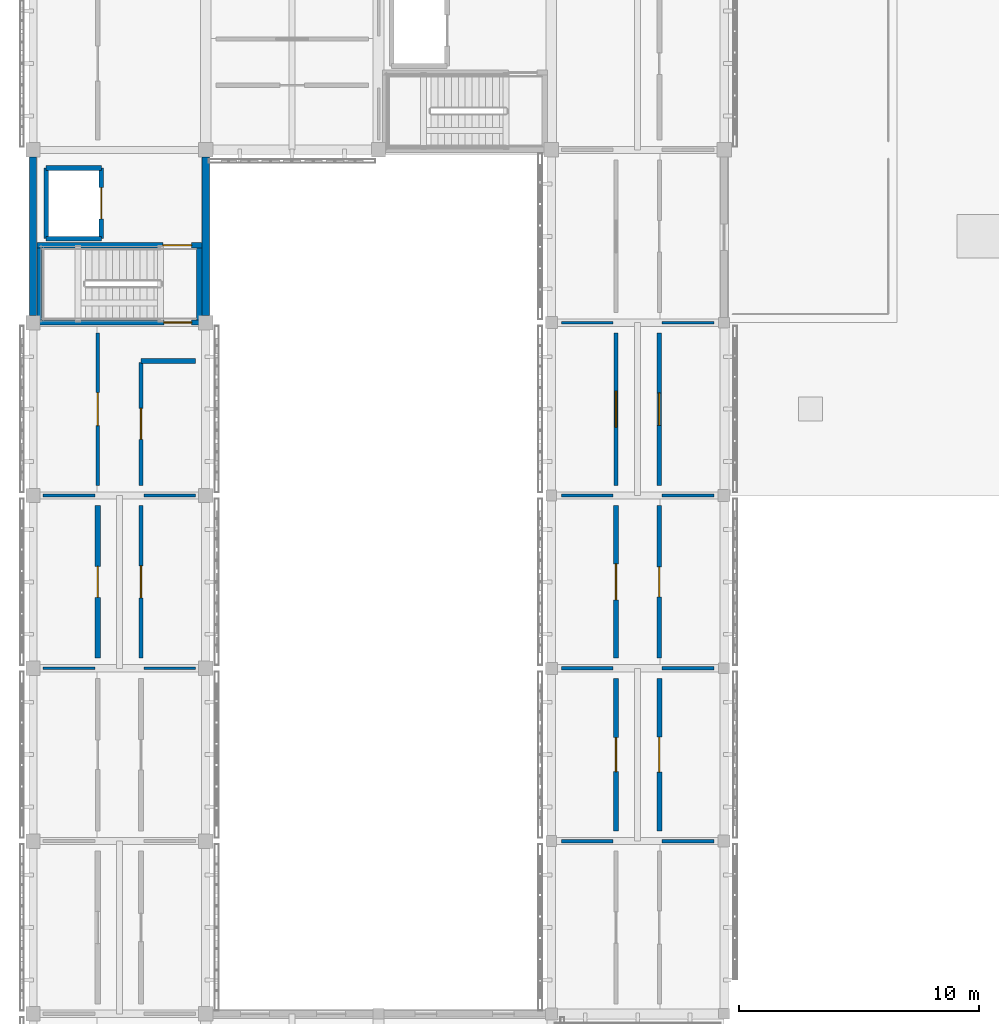
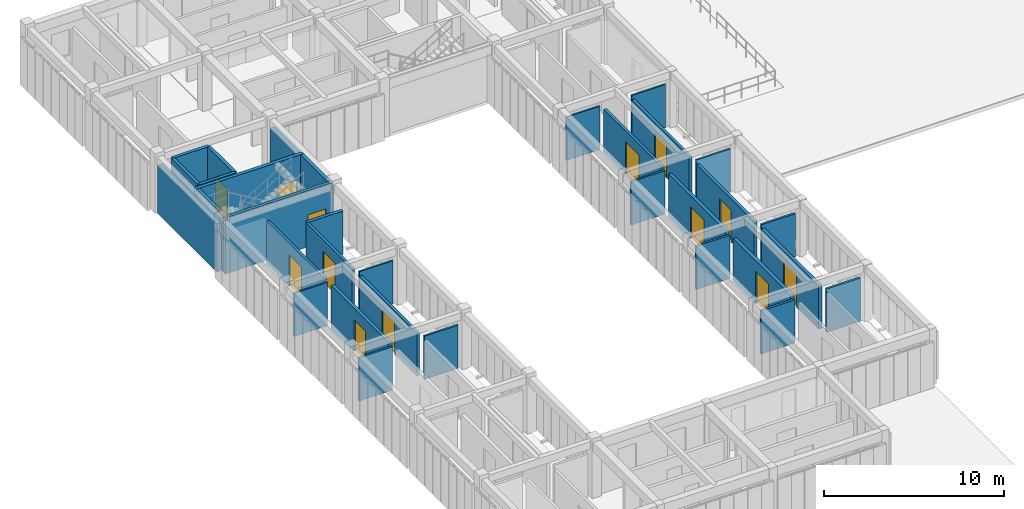
# One storey, part 54 of 67: 33 walls, 13 doors, 13 openings.
"""IFC4 building model written with IfcOpenShell, lengths in metres."""

from ifc_helpers import new_model, si_unit, direction, frame, frame_2d, origin, place, context, subcontext, project, spatial, rectangle, extrude, material, layer, layer_set, type_object, element, fill, save


model = new_model("IFC4")

# Units and contexts
model_context = context("Model", 3, precision=1e-05, world=origin(), true_north=direction((0.0, 1.0)))
body_context = subcontext(model_context, "Body", "Model", "MODEL_VIEW")
ifc_project = project(units=[si_unit("LENGTHUNIT", "METRE"), si_unit("AREAUNIT", "SQUARE_METRE"), si_unit("VOLUMEUNIT", "CUBIC_METRE"), si_unit("PLANEANGLEUNIT", "RADIAN"), si_unit("MASSUNIT", "GRAM", prefix="KILO")], contexts=[model_context])

# Site, building, storey
site_placement = place(None, origin())
site = spatial("IfcSite", under=ifc_project, at=site_placement, CompositionType="ELEMENT")
building_placement = place(site_placement, origin())
building = spatial("IfcBuilding", under=site, at=building_placement, Name="Aldebral Square Health Centre", CompositionType="ELEMENT")
storey_placement = place(building_placement, frame((0.0, 0.0, 13.5)))
storey = spatial("IfcBuildingStorey", under=building, at=storey_placement, Name="L03", CompositionType="ELEMENT", Elevation=13.5)

# Walls
ifc_material_1 = material(Name="Precast concrete C40/50 insulated panel", Category="concrete")
ifc_layer_1 = layer(ifc_material_1, 0.300048828125, Name="Precast concrete C40/50 insulated panel", Category="concrete")
ifc_layer_set_1 = layer_set([ifc_layer_1], Name="Precast concrete C40/50 insulated panel")
wall_type_1 = type_object("IfcWallType", Name="EW-PRE-300", PredefinedType="STANDARD", material=ifc_layer_set_1)
for number, where, z_axis, x_axis, name in (
    (1, (0.0, 100.5, 0.0), (0.0, 0.0, 1.0), (0.0, -1.0, 0.0), "L03 V4 exterior wall L03-V4-00-13-W"),
    (2, (7.199951171875, 93.89990234375, 0.0), (0.0, 0.0, 1.0), (0.0, 1.0, 0.0), "L03 V4 exterior wall L03-V4-00-13-E"),
):
    element("IfcWall", number, at=place(storey_placement, frame(where, z_axis=z_axis, x_axis=x_axis)), inside=storey, type_object=wall_type_1, Name=name, PredefinedType="STANDARD", context=body_context, shape_type="SweptSolid", body=[
        extrude(rectangle(XDim=6.60009765625, YDim=0.300048828125, at=frame_2d((3.300048828125, 0.0))), origin(), (0.0, 0.0, 1.0), 3.239990234375),
    ])

# Wall, opening, door
ifc_material_2 = material(Name="Concrete C35/45 compartment wall", Category="concrete")
ifc_layer_2 = layer(ifc_material_2, 0.199951171875, Name="Concrete C35/45 compartment wall", Category="concrete")
ifc_layer_set_2 = layer_set([ifc_layer_2], Name="Concrete C35/45 compartment wall")
wall_type_2 = type_object("IfcWallType", Name="IW-CMP-200", PredefinedType="SOLIDWALL", material=ifc_layer_set_2)
wall_1_placement = place(storey_placement, frame((26.10009765625, 79.6201171875, 0.0), z_axis=(0.0, 0.0, 1.0), x_axis=(0.0, 1.0, 0.0)))
wall_1 = element("IfcWall", 3, at=wall_1_placement, inside=storey, type_object=wall_type_2, Name="L03 Dental Clinic Operatory 4.12E corridor wall", PredefinedType="SOLIDWALL", context=body_context, shape_type="SweptSolid", body=[
    extrude(rectangle(XDim=6.35986328125, YDim=0.199951171875, at=frame_2d((3.179931640625, 0.0))), origin(), (0.0, 0.0, 1.0), 2.929931640625),
])
opening_1_placement = place(wall_1_placement, frame((2.554931640625, 0.0, 0.0)))
opening_1 = element("IfcOpeningElement", 4, at=opening_1_placement, cuts=wall_1, Name="Opening D-0562", PredefinedType="OPENING", context=body_context, shape_type="SweptSolid", body=[
    extrude(rectangle(XDim=1.25, YDim=2.14990234375, at=frame_2d((0.625, 1.074951171875))), frame((0.0, 0.10986328125, 0.0), z_axis=(0.0, -1.0, 0.0), x_axis=(1.0, 0.0, 0.0)), (0.0, 0.0, 1.0), 0.219970703125),
])
ifc_material_3 = material(Name="Stainless steel surgical lift landing door", Category="steel")
door_type_1 = type_object("IfcDoorType", Name="ID-LD-125", OperationType="SLIDING_TO_LEFT", PredefinedType="DOOR", material=ifc_material_3)
door_1_placement = place(opening_1_placement, origin())
door_1 = element("IfcDoor", 5, at=door_1_placement, inside=storey, type_object=door_type_1, Name="L03 Dental Clinic Operatory 4.12E door", OperationType="SINGLE_SWING_LEFT", OverallHeight=2.14990234375, OverallWidth=1.25, PredefinedType="DOOR", context=body_context, shape_type="SweptSolid", body=[
    extrude(rectangle(XDim=1.25, YDim=2.14990234375, at=frame_2d((0.625, 1.074951171875))), frame((0.0, 0.02490234375, 0.0), z_axis=(0.0, -1.0, 0.0), x_axis=(1.0, 0.0, 0.0)), (0.0, 0.0, 1.0), 0.050048828125),
])
fill(opening_1, door_1)

ifc_layer_3 = layer(ifc_material_2, 0.219970703125, Name="Concrete C35/45 compartment wall", Category="concrete")
ifc_layer_set_3 = layer_set([ifc_layer_3], Name="Concrete C35/45 compartment wall")
wall_type_3 = type_object("IfcWallType", Name="IW-CMP-220", PredefinedType="SOLIDWALL", material=ifc_layer_set_3)
wall_2_placement = place(storey_placement, frame((24.300048828125, 72.419921875, 0.0), z_axis=(0.0, 0.0, 1.0), x_axis=(0.0, 1.0, 0.0)))
wall_2 = element("IfcWall", 6, at=wall_2_placement, inside=storey, type_object=wall_type_3, Name="L03 Paediatric Examination Room 4.11W corridor wall", PredefinedType="SOLIDWALL", context=body_context, shape_type="SweptSolid", body=[
    extrude(rectangle(XDim=6.360107421875, YDim=0.219970703125, at=frame_2d((3.18017578125, 0.0))), origin(), (0.0, 0.0, 1.0), 2.929931640625),
])
opening_2_placement = place(wall_2_placement, frame((2.469970703125, 0.0, 0.0)))
opening_2 = element("IfcOpeningElement", 7, at=opening_2_placement, cuts=wall_2, Name="Opening D-0559", PredefinedType="OPENING", context=body_context, shape_type="SweptSolid", body=[
    extrude(rectangle(XDim=1.419921875, YDim=2.18994140625, at=frame_2d((0.7099609375, 1.094970703125))), frame((0.0, 0.1201171875, 0.0), z_axis=(0.0, -1.0, 0.0), x_axis=(1.0, 0.0, 0.0)), (0.0, 0.0, 1.0), 0.239990234375),
])
ifc_material_4 = material(Name="Clinical suite fire door")
door_type_2 = type_object("IfcDoorType", Name="ID-EXD-61", OperationType="NOTDEFINED", PredefinedType="DOOR", material=ifc_material_4)
door_2_placement = place(opening_2_placement, origin())
door_2 = element("IfcDoor", 8, at=door_2_placement, inside=storey, type_object=door_type_2, Name="L03 Paediatric Examination Room 4.11W door", OperationType="SINGLE_SWING_RIGHT", OverallHeight=2.18994140625, OverallWidth=1.419921875, PredefinedType="DOOR", context=body_context, shape_type="SweptSolid", body=[
    extrude(rectangle(XDim=1.419921875, YDim=2.18994140625, at=frame_2d((0.7099609375, 1.094970703125))), frame((0.0, 0.02490234375, 0.0), z_axis=(0.0, -1.0, 0.0), x_axis=(1.0, 0.0, 0.0)), (0.0, 0.0, 1.0), 0.050048828125),
])
fill(opening_2, door_2)

ifc_material_5 = material(Name="Fire-rated acoustic gypsum partition")
ifc_layer_4 = layer(ifc_material_5, 0.1650390625, Name="Fire-rated acoustic gypsum partition")
ifc_layer_set_4 = layer_set([ifc_layer_4], Name="Fire-rated acoustic gypsum partition")
wall_type_4 = type_object("IfcWallType", Name="IW-COR-165", PredefinedType="PARTITIONING", material=ifc_layer_set_4)
wall_3_placement = place(storey_placement, frame((2.699951171875, 86.820068359375, 0.0), z_axis=(0.0, 0.0, 1.0), x_axis=(0.0, 1.0, 0.0)))
wall_3 = element("IfcWall", 9, at=wall_3_placement, inside=storey, type_object=wall_type_4, Name="L03 Dental Sterilization Room 1.13W corridor wall", PredefinedType="PARTITIONING", context=body_context, shape_type="SweptSolid", body=[
    extrude(rectangle(XDim=6.35986328125, YDim=0.1650390625, at=frame_2d((3.179931640625, 0.0))), origin(), (0.0, 0.0, 1.0), 2.929931640625),
])
opening_3_placement = place(wall_3_placement, frame((2.489990234375, 0.0, 0.0)))
opening_3 = element("IfcOpeningElement", 10, at=opening_3_placement, cuts=wall_3, Name="Opening D-0542", PredefinedType="OPENING", context=body_context, shape_type="SweptSolid", body=[
    extrude(rectangle(XDim=1.3798828125, YDim=2.139892578125, at=frame_2d((0.68994140625, 1.06982421875))), frame((0.0, 0.092529296875, 0.0), z_axis=(0.0, -1.0, 0.0), x_axis=(1.0, 0.0, 0.0)), (0.0, 0.0, 1.0), 0.18505859375),
])
door_type_3 = type_object("IfcDoorType", Name="ID-EXD-44", OperationType="NOTDEFINED", PredefinedType="DOOR", material=ifc_material_4)
door_3_placement = place(opening_3_placement, origin())
door_3 = element("IfcDoor", 11, at=door_3_placement, inside=storey, type_object=door_type_3, Name="L03 Dental Sterilization Room 1.13W door", OperationType="SINGLE_SWING_LEFT", OverallHeight=2.139892578125, OverallWidth=1.3798828125, PredefinedType="DOOR", context=body_context, shape_type="SweptSolid", body=[
    extrude(rectangle(XDim=1.3798828125, YDim=2.139892578125, at=frame_2d((0.68994140625, 1.06982421875))), frame((0.0, 0.02490234375, 0.0), z_axis=(0.0, -1.0, 0.0), x_axis=(1.0, 0.0, 0.0)), (0.0, 0.0, 1.0), 0.050048828125),
])
fill(opening_3, door_3)

wall_4_placement = place(storey_placement, frame((4.5, 86.820068359375, 0.0), z_axis=(0.0, 0.0, 1.0), x_axis=(0.0, 1.0, 0.0)))
wall_4 = element("IfcWall", 12, at=wall_4_placement, inside=storey, type_object=wall_type_4, Name="L03 Panoramic Dental X-Ray 1.13E corridor wall", PredefinedType="PARTITIONING", context=body_context, shape_type="SweptSolid", body=[
    extrude(rectangle(XDim=5.1298828125, YDim=0.1650390625, at=frame_2d((2.56494140625, 0.0))), origin(), (0.0, 0.0, 1.0), 2.929931640625),
])
opening_4_placement = place(wall_4_placement, frame((1.9150390625, 0.0, 0.0)))
opening_4 = element("IfcOpeningElement", 13, at=opening_4_placement, cuts=wall_4, Name="Opening D-0543", PredefinedType="OPENING", context=body_context, shape_type="SweptSolid", body=[
    extrude(rectangle(XDim=1.300048828125, YDim=2.14990234375, at=frame_2d((0.64990234375, 1.074951171875))), frame((0.0, 0.092529296875, 0.0), z_axis=(0.0, -1.0, 0.0), x_axis=(1.0, 0.0, 0.0)), (0.0, 0.0, 1.0), 0.18505859375),
])
ifc_material_6 = material(Name="Radiography shielded fire door")
door_type_4 = type_object("IfcDoorType", Name="ID-IM-130", OperationType="NOTDEFINED", PredefinedType="DOOR", material=ifc_material_6)
door_4_placement = place(opening_4_placement, origin())
door_4 = element("IfcDoor", 14, at=door_4_placement, inside=storey, type_object=door_type_4, Name="L03 Panoramic Dental X-Ray 1.13E door", OperationType="SINGLE_SWING_RIGHT", OverallHeight=2.14990234375, OverallWidth=1.300048828125, PredefinedType="DOOR", context=body_context, shape_type="SweptSolid", body=[
    extrude(rectangle(XDim=1.300048828125, YDim=2.14990234375, at=frame_2d((0.64990234375, 1.074951171875))), frame((0.0, 0.02490234375, 0.0), z_axis=(0.0, -1.0, 0.0), x_axis=(1.0, 0.0, 0.0)), (0.0, 0.0, 1.0), 0.050048828125),
])
fill(opening_4, door_4)

ifc_layer_5 = layer(ifc_material_5, 0.179931640625, Name="Fire-rated acoustic gypsum partition")
ifc_layer_set_5 = layer_set([ifc_layer_5], Name="Fire-rated acoustic gypsum partition")
wall_type_5 = type_object("IfcWallType", Name="IW-COR-180", PredefinedType="PARTITIONING", material=ifc_layer_set_5)
wall_5_placement = place(storey_placement, frame((4.5, 79.6201171875, 0.0), z_axis=(0.0, 0.0, 1.0), x_axis=(0.0, 1.0, 0.0)))
wall_5 = element("IfcWall", 15, at=wall_5_placement, inside=storey, type_object=wall_type_5, Name="L03 Dental Clinic Operatory 1.12E corridor wall", PredefinedType="PARTITIONING", context=body_context, shape_type="SweptSolid", body=[
    extrude(rectangle(XDim=6.35986328125, YDim=0.179931640625, at=frame_2d((3.179931640625, 0.0))), origin(), (0.0, 0.0, 1.0), 2.929931640625),
])
opening_5_placement = place(wall_5_placement, frame((2.510009765625, 0.0, 0.0)))
opening_5 = element("IfcOpeningElement", 16, at=opening_5_placement, cuts=wall_5, Name="Opening D-0541", PredefinedType="OPENING", context=body_context, shape_type="SweptSolid", body=[
    extrude(rectangle(XDim=1.340087890625, YDim=2.139892578125, at=frame_2d((0.669921875, 1.06982421875))), frame((0.0, 0.10009765625, 0.0), z_axis=(0.0, -1.0, 0.0), x_axis=(1.0, 0.0, 0.0)), (0.0, 0.0, 1.0), 0.199951171875),
])
door_type_5 = type_object("IfcDoorType", Name="ID-EXD-43", OperationType="NOTDEFINED", PredefinedType="DOOR", material=ifc_material_4)
door_5_placement = place(opening_5_placement, origin())
door_5 = element("IfcDoor", 17, at=door_5_placement, inside=storey, type_object=door_type_5, Name="L03 Dental Clinic Operatory 1.12E door", OperationType="SINGLE_SWING_RIGHT", OverallHeight=2.139892578125, OverallWidth=1.340087890625, PredefinedType="DOOR", context=body_context, shape_type="SweptSolid", body=[
    extrude(rectangle(XDim=1.340087890625, YDim=2.139892578125, at=frame_2d((0.669921875, 1.06982421875))), frame((0.0, 0.02490234375, 0.0), z_axis=(0.0, -1.0, 0.0), x_axis=(1.0, 0.0, 0.0)), (0.0, 0.0, 1.0), 0.050048828125),
])
fill(opening_5, door_5)

wall_6_placement = place(storey_placement, frame((24.300048828125, 86.820068359375, 0.0), z_axis=(0.0, 0.0, 1.0), x_axis=(0.0, 1.0, 0.0)))
wall_6 = element("IfcWall", 18, at=wall_6_placement, inside=storey, type_object=wall_type_5, Name="L03 Dental Sterilization Room 4.13W corridor wall", PredefinedType="PARTITIONING", context=body_context, shape_type="SweptSolid", body=[
    extrude(rectangle(XDim=6.35986328125, YDim=0.179931640625, at=frame_2d((3.179931640625, 0.0))), origin(), (0.0, 0.0, 1.0), 2.929931640625),
])
opening_6_placement = place(wall_6_placement, frame((2.429931640625, 0.0, 0.0)))
opening_6 = element("IfcOpeningElement", 19, at=opening_6_placement, cuts=wall_6, Name="Opening D-0563", PredefinedType="OPENING", context=body_context, shape_type="SweptSolid", body=[
    extrude(rectangle(XDim=1.5, YDim=2.199951171875, at=frame_2d((0.75, 1.10009765625))), frame((0.0, 0.10009765625, 0.0), z_axis=(0.0, -1.0, 0.0), x_axis=(1.0, 0.0, 0.0)), (0.0, 0.0, 1.0), 0.199951171875),
])
ifc_material_7 = material(Name="Surgical suite double-leaf fire door")
door_type_6 = type_object("IfcDoorType", Name="ID-OR-150", OperationType="NOTDEFINED", PredefinedType="DOOR", material=ifc_material_7)
door_6_placement = place(opening_6_placement, origin())
door_6 = element("IfcDoor", 20, at=door_6_placement, inside=storey, type_object=door_type_6, Name="L03 Dental Sterilization Room 4.13W door", OperationType="SINGLE_SWING_RIGHT", OverallHeight=2.199951171875, OverallWidth=1.5, PredefinedType="DOOR", context=body_context, shape_type="SweptSolid", body=[
    extrude(rectangle(XDim=1.5, YDim=2.199951171875, at=frame_2d((0.75, 1.10009765625))), frame((0.0, 0.02490234375, 0.0), z_axis=(0.0, -1.0, 0.0), x_axis=(1.0, 0.0, 0.0)), (0.0, 0.0, 1.0), 0.050048828125),
])
fill(opening_6, door_6)

wall_7_placement = place(storey_placement, frame((26.10009765625, 86.820068359375, 0.0), z_axis=(0.0, 0.0, 1.0), x_axis=(0.0, 1.0, 0.0)))
wall_7 = element("IfcWall", 21, at=wall_7_placement, inside=storey, type_object=wall_type_5, Name="L03 Panoramic Dental X-Ray 4.13E corridor wall", PredefinedType="PARTITIONING", context=body_context, shape_type="SweptSolid", body=[
    extrude(rectangle(XDim=6.35986328125, YDim=0.179931640625, at=frame_2d((3.179931640625, 0.0))), origin(), (0.0, 0.0, 1.0), 2.929931640625),
])
opening_7_placement = place(wall_7_placement, frame((2.5048828125, 0.0, 0.0)))
opening_7 = element("IfcOpeningElement", 22, at=opening_7_placement, cuts=wall_7, Name="Opening D-0564", PredefinedType="OPENING", context=body_context, shape_type="SweptSolid", body=[
    extrude(rectangle(XDim=1.35009765625, YDim=2.199951171875, at=frame_2d((0.675048828125, 1.10009765625))), frame((0.0, 0.10009765625, 0.0), z_axis=(0.0, -1.0, 0.0), x_axis=(1.0, 0.0, 0.0)), (0.0, 0.0, 1.0), 0.199951171875),
])
ifc_material_8 = material(Name="Lead-lined imaging suite door")
door_type_7 = type_object("IfcDoorType", Name="ID-IM-135", OperationType="NOTDEFINED", PredefinedType="DOOR", material=ifc_material_8)
door_7_placement = place(opening_7_placement, origin())
door_7 = element("IfcDoor", 23, at=door_7_placement, inside=storey, type_object=door_type_7, Name="L03 Panoramic Dental X-Ray 4.13E door", OperationType="SINGLE_SWING_LEFT", OverallHeight=2.199951171875, OverallWidth=1.35009765625, PredefinedType="DOOR", context=body_context, shape_type="SweptSolid", body=[
    extrude(rectangle(XDim=1.35009765625, YDim=2.199951171875, at=frame_2d((0.675048828125, 1.10009765625))), frame((0.0, 0.02490234375, 0.0), z_axis=(0.0, -1.0, 0.0), x_axis=(1.0, 0.0, 0.0)), (0.0, 0.0, 1.0), 0.050048828125),
])
fill(opening_7, door_7)

ifc_material_9 = material(Name="Concrete C40/50", Category="concrete")
ifc_layer_6 = layer(ifc_material_9, 0.219970703125, Name="Concrete C40/50", Category="concrete")
ifc_layer_set_6 = layer_set([ifc_layer_6], Name="Concrete C40/50")
wall_type_6 = type_object("IfcWallType", Name="IW-CORE-280", PredefinedType="SHEAR", material=ifc_layer_set_6)
wall_8_placement = place(storey_placement, frame((0.159912109375, 93.610107421875, 0.0), z_axis=(0.0, 0.0, 1.0), x_axis=(1.0, 0.0, 0.0)))
wall_8 = element("IfcWall", 24, at=wall_8_placement, inside=storey, type_object=wall_type_6, Name="L03 WC-C1 shaft wall S", PredefinedType="SHEAR", context=body_context, shape_type="SweptSolid", body=[
    extrude(rectangle(XDim=6.880126953125, YDim=0.219970703125, at=frame_2d((3.43994140625, 0.0))), origin(), (0.0, 0.0, 1.0), 3.7900390625),
])
opening_8_placement = place(wall_8_placement, frame((5.300048828125, 0.0, 0.0)))
opening_8 = element("IfcOpeningElement", 25, at=opening_8_placement, cuts=wall_8, Name="Opening D-0012", PredefinedType="OPENING", context=body_context, shape_type="SweptSolid", body=[
    extrude(rectangle(XDim=1.14990234375, YDim=2.14990234375, at=frame_2d((0.574951171875, 1.074951171875))), frame((0.0, 0.1201171875, 0.0), z_axis=(0.0, -1.0, 0.0), x_axis=(1.0, 0.0, 0.0)), (0.0, 0.0, 1.0), 0.239990234375),
])
ifc_material_10 = material(Name="Fire-rated steel lobby stair door", Category="steel")
door_type_8 = type_object("IfcDoorType", Name="ID-ST-115", OperationType="NOTDEFINED", PredefinedType="DOOR", material=ifc_material_10)
door_8_placement = place(opening_8_placement, origin())
door_8 = element("IfcDoor", 26, at=door_8_placement, inside=storey, type_object=door_type_8, Name="L03 ST-01 south lobby fire door", OperationType="SINGLE_SWING_LEFT", OverallHeight=2.14990234375, OverallWidth=1.14990234375, PredefinedType="DOOR", context=body_context, shape_type="SweptSolid", body=[
    extrude(rectangle(XDim=1.14990234375, YDim=2.14990234375, at=frame_2d((0.574951171875, 1.074951171875))), frame((0.0, 0.02490234375, 0.0), z_axis=(0.0, -1.0, 0.0), x_axis=(1.0, 0.0, 0.0)), (0.0, 0.0, 1.0), 0.050048828125),
])
fill(opening_8, door_8)

wall_9_placement = place(storey_placement, frame((0.159912109375, 96.830078125, 0.0), z_axis=(0.0, 0.0, 1.0), x_axis=(1.0, 0.0, 0.0)))
wall_9 = element("IfcWall", 27, at=wall_9_placement, inside=storey, type_object=wall_type_6, Name="L03 WC-C1 shaft wall N", PredefinedType="SHEAR", context=body_context, shape_type="SweptSolid", body=[
    extrude(rectangle(XDim=6.880126953125, YDim=0.219970703125, at=frame_2d((3.43994140625, 0.0))), origin(), (0.0, 0.0, 1.0), 3.7900390625),
])
opening_9_placement = place(wall_9_placement, frame((5.25, 0.0, 0.0)))
opening_9 = element("IfcOpeningElement", 28, at=opening_9_placement, cuts=wall_9, Name="Opening D-0011", PredefinedType="OPENING", context=body_context, shape_type="SweptSolid", body=[
    extrude(rectangle(XDim=1.199951171875, YDim=2.14990234375, at=frame_2d((0.60009765625, 1.074951171875))), frame((0.0, 0.1201171875, 0.0), z_axis=(0.0, -1.0, 0.0), x_axis=(1.0, 0.0, 0.0)), (0.0, 0.0, 1.0), 0.239990234375),
])
ifc_material_11 = material(Name="Fire-rated steel stair door", Category="steel")
door_type_9 = type_object("IfcDoorType", Name="ID-ST-120", OperationType="NOTDEFINED", PredefinedType="DOOR", material=ifc_material_11)
door_9_placement = place(opening_9_placement, origin())
door_9 = element("IfcDoor", 29, at=door_9_placement, inside=storey, type_object=door_type_9, Name="L03 ST-01 fire door", OperationType="SINGLE_SWING_RIGHT", OverallHeight=2.14990234375, OverallWidth=1.199951171875, PredefinedType="DOOR", context=body_context, shape_type="SweptSolid", body=[
    extrude(rectangle(XDim=1.199951171875, YDim=2.14990234375, at=frame_2d((0.60009765625, 1.074951171875))), frame((0.0, 0.02490234375, 0.0), z_axis=(0.0, -1.0, 0.0), x_axis=(1.0, 0.0, 0.0)), (0.0, 0.0, 1.0), 0.050048828125),
])
fill(opening_9, door_9)

# Walls
for number, where, z_axis, x_axis, name in (
    (30, (0.27001953125, 93.719970703125, 0.0), (0.0, 0.0, 1.0), (0.0, 1.0, 0.0), "L03 WC-C1 shaft wall W"),
    (31, (6.929931640625, 93.719970703125, 0.0), (0.0, 0.0, 1.0), (0.0, 1.0, 0.0), "L03 WC-C1 shaft wall E"),
):
    element("IfcWall", number, at=place(storey_placement, frame(where, z_axis=z_axis, x_axis=x_axis)), inside=storey, type_object=wall_type_6, Name=name, PredefinedType="SHEAR", context=body_context, shape_type="SweptSolid", body=[
        extrude(rectangle(XDim=3.0, YDim=0.219970703125, at=frame_2d((1.5, 0.0))), origin(), (0.0, 0.0, 1.0), 3.7900390625),
    ])
ifc_layer_7 = layer(ifc_material_9, 0.199951171875, Name="Concrete C40/50", Category="concrete")
ifc_layer_set_7 = layer_set([ifc_layer_7], Name="Concrete C40/50")
wall_type_7 = type_object("IfcWallType", Name="IW-LFT-250", PredefinedType="SHEAR", material=ifc_layer_set_7)
wall_10_placement = place(storey_placement, frame((0.550048828125, 97.10009765625, 0.0), z_axis=(0.0, 0.0, 1.0), x_axis=(1.0, 0.0, 0.0)))
element("IfcWall", 32, at=wall_10_placement, inside=storey, type_object=wall_type_7, Name="L03 LF-01 shaft wall S", PredefinedType="SHEAR", context=body_context, shape_type="SweptSolid", body=[
    extrude(rectangle(XDim=2.300048828125, YDim=0.199951171875, at=frame_2d((1.14990234375, 0.0))), origin(), (0.0, 0.0, 1.0), 3.7900390625),
])
wall_11_placement = place(storey_placement, frame((0.550048828125, 97.10009765625, 0.0), z_axis=(0.0, 0.0, 1.0), x_axis=(0.0, 1.0, 0.0)))
element("IfcWall", 33, at=wall_11_placement, inside=storey, type_object=wall_type_7, Name="L03 LF-01 shaft wall W", PredefinedType="SHEAR", context=body_context, shape_type="SweptSolid", body=[
    extrude(rectangle(XDim=2.949951171875, YDim=0.199951171875, at=frame_2d((1.47509765625, 0.0))), origin(), (0.0, 0.0, 1.0), 3.7900390625),
])
wall_12_placement = place(storey_placement, frame((0.550048828125, 100.050048828125, 0.0), z_axis=(0.0, 0.0, 1.0), x_axis=(1.0, 0.0, 0.0)))
element("IfcWall", 34, at=wall_12_placement, inside=storey, type_object=wall_type_7, Name="L03 LF-01 shaft wall N", PredefinedType="SHEAR", context=body_context, shape_type="SweptSolid", body=[
    extrude(rectangle(XDim=2.300048828125, YDim=0.199951171875, at=frame_2d((1.14990234375, 0.0))), origin(), (0.0, 0.0, 1.0), 3.7900390625),
])

# Wall, opening, door
wall_13_placement = place(storey_placement, frame((2.85009765625, 97.10009765625, 0.0), z_axis=(0.0, 0.0, 1.0), x_axis=(0.0, 1.0, 0.0)))
wall_13 = element("IfcWall", 35, at=wall_13_placement, inside=storey, type_object=wall_type_7, Name="L03 LF-01 landing wall", PredefinedType="SHEAR", context=body_context, shape_type="SweptSolid", body=[
    extrude(rectangle(XDim=2.949951171875, YDim=0.199951171875, at=frame_2d((1.47509765625, 0.0))), origin(), (0.0, 0.0, 1.0), 3.7900390625),
])
opening_10_placement = place(wall_13_placement, frame((0.824951171875, 0.0, 0.0)))
opening_10 = element("IfcOpeningElement", 36, at=opening_10_placement, cuts=wall_13, Name="Opening D-0013", PredefinedType="OPENING", context=body_context, shape_type="SweptSolid", body=[
    extrude(rectangle(XDim=1.300048828125, YDim=2.14990234375, at=frame_2d((0.64990234375, 1.074951171875))), frame((0.0, 0.10986328125, 0.0), z_axis=(0.0, -1.0, 0.0), x_axis=(1.0, 0.0, 0.0)), (0.0, 0.0, 1.0), 0.219970703125),
])
ifc_material_12 = material(Name="Stainless steel stretcher lift landing door", Category="steel")
door_type_10 = type_object("IfcDoorType", Name="ID-LD-130", OperationType="SLIDING_TO_LEFT", PredefinedType="DOOR", material=ifc_material_12)
door_10_placement = place(opening_10_placement, origin())
door_10 = element("IfcDoor", 37, at=door_10_placement, inside=storey, type_object=door_type_10, Name="L03 LF-01 sliding landing door", OperationType="SLIDING_TO_LEFT", OverallHeight=2.14990234375, OverallWidth=1.300048828125, PredefinedType="DOOR", context=body_context, shape_type="SweptSolid", body=[
    extrude(rectangle(XDim=1.300048828125, YDim=2.14990234375, at=frame_2d((0.64990234375, 1.074951171875))), frame((0.0, 0.02490234375, 0.0), z_axis=(0.0, -1.0, 0.0), x_axis=(1.0, 0.0, 0.0)), (0.0, 0.0, 1.0), 0.050048828125),
])
fill(opening_10, door_10)

ifc_material_13 = material(Name="Moisture-resistant sanitary chase wall")
ifc_layer_8 = layer(ifc_material_13, 0.2099609375, Name="Moisture-resistant sanitary chase wall")
ifc_layer_set_8 = layer_set([ifc_layer_8], Name="Moisture-resistant sanitary chase wall")
wall_type_8 = type_object("IfcWallType", Name="IW-PLB-210", PredefinedType="PLUMBINGWALL", material=ifc_layer_set_8)
wall_14_placement = place(storey_placement, frame((2.699951171875, 79.6201171875, 0.0), z_axis=(0.0, 0.0, 1.0), x_axis=(0.0, 1.0, 0.0)))
wall_14 = element("IfcWall", 38, at=wall_14_placement, inside=storey, type_object=wall_type_8, Name="L03 Staff Toilet 1.12W corridor wall", PredefinedType="PLUMBINGWALL", context=body_context, shape_type="SweptSolid", body=[
    extrude(rectangle(XDim=6.35986328125, YDim=0.2099609375, at=frame_2d((3.179931640625, 0.0))), origin(), (0.0, 0.0, 1.0), 2.929931640625),
])
opening_11_placement = place(wall_14_placement, frame((2.530029296875, 0.0, 0.0)))
opening_11 = element("IfcOpeningElement", 39, at=opening_11_placement, cuts=wall_14, Name="Opening D-0540", PredefinedType="OPENING", context=body_context, shape_type="SweptSolid", body=[
    extrude(rectangle(XDim=1.300048828125, YDim=2.139892578125, at=frame_2d((0.64990234375, 1.06982421875))), frame((0.0, 0.114990234375, 0.0), z_axis=(0.0, -1.0, 0.0), x_axis=(1.0, 0.0, 0.0)), (0.0, 0.0, 1.0), 0.22998046875),
])
door_type_11 = type_object("IfcDoorType", Name="ID-EXD-42", OperationType="NOTDEFINED", PredefinedType="DOOR", material=ifc_material_4)
door_11_placement = place(opening_11_placement, origin())
door_11 = element("IfcDoor", 40, at=door_11_placement, inside=storey, type_object=door_type_11, Name="L03 Staff Toilet 1.12W door", OperationType="SINGLE_SWING_LEFT", OverallHeight=2.139892578125, OverallWidth=1.300048828125, PredefinedType="DOOR", context=body_context, shape_type="SweptSolid", body=[
    extrude(rectangle(XDim=1.300048828125, YDim=2.139892578125, at=frame_2d((0.64990234375, 1.06982421875))), frame((0.0, 0.02490234375, 0.0), z_axis=(0.0, -1.0, 0.0), x_axis=(1.0, 0.0, 0.0)), (0.0, 0.0, 1.0), 0.050048828125),
])
fill(opening_11, door_11)

# Wall
wall_15_placement = place(storey_placement, frame((4.5, 92.0, 0.0), z_axis=(0.0, 0.0, 1.0), x_axis=(1.0, 0.0, 0.0)))
element("IfcWall", 41, at=wall_15_placement, inside=storey, type_object=wall_type_8, Name="L03 Panoramic Dental X-Ray 1.13E lobby return wall", PredefinedType="PLUMBINGWALL", context=body_context, shape_type="SweptSolid", body=[
    extrude(rectangle(XDim=2.280029296875, YDim=0.2099609375, at=frame_2d((1.14013671875, 0.0))), origin(), (0.0, 0.0, 1.0), 2.929931640625),
])

# Wall, opening, door
wall_16_placement = place(storey_placement, frame((26.10009765625, 72.419921875, 0.0), z_axis=(0.0, 0.0, 1.0), x_axis=(0.0, 1.0, 0.0)))
wall_16 = element("IfcWall", 42, at=wall_16_placement, inside=storey, type_object=wall_type_8, Name="L03 Accessible WC 4.11E corridor wall", PredefinedType="PLUMBINGWALL", context=body_context, shape_type="SweptSolid", body=[
    extrude(rectangle(XDim=6.360107421875, YDim=0.2099609375, at=frame_2d((3.18017578125, 0.0))), origin(), (0.0, 0.0, 1.0), 2.929931640625),
])
opening_12_placement = place(wall_16_placement, frame((2.449951171875, 0.0, 0.0)))
opening_12 = element("IfcOpeningElement", 43, at=opening_12_placement, cuts=wall_16, Name="Opening D-0560", PredefinedType="OPENING", context=body_context, shape_type="SweptSolid", body=[
    extrude(rectangle(XDim=1.4599609375, YDim=2.18994140625, at=frame_2d((0.72998046875, 1.094970703125))), frame((0.0, 0.114990234375, 0.0), z_axis=(0.0, -1.0, 0.0), x_axis=(1.0, 0.0, 0.0)), (0.0, 0.0, 1.0), 0.22998046875),
])
door_type_12 = type_object("IfcDoorType", Name="ID-EXD-62", OperationType="NOTDEFINED", PredefinedType="DOOR", material=ifc_material_4)
door_12_placement = place(opening_12_placement, origin())
door_12 = element("IfcDoor", 44, at=door_12_placement, inside=storey, type_object=door_type_12, Name="L03 Accessible WC 4.11E door", OperationType="SINGLE_SWING_LEFT", OverallHeight=2.18994140625, OverallWidth=1.4599609375, PredefinedType="DOOR", context=body_context, shape_type="SweptSolid", body=[
    extrude(rectangle(XDim=1.4599609375, YDim=2.18994140625, at=frame_2d((0.72998046875, 1.094970703125))), frame((0.0, 0.02490234375, 0.0), z_axis=(0.0, -1.0, 0.0), x_axis=(1.0, 0.0, 0.0)), (0.0, 0.0, 1.0), 0.050048828125),
])
fill(opening_12, door_12)

wall_17_placement = place(storey_placement, frame((24.300048828125, 79.6201171875, 0.0), z_axis=(0.0, 0.0, 1.0), x_axis=(0.0, 1.0, 0.0)))
wall_17 = element("IfcWall", 45, at=wall_17_placement, inside=storey, type_object=wall_type_8, Name="L03 Staff Toilet 4.12W corridor wall", PredefinedType="PLUMBINGWALL", context=body_context, shape_type="SweptSolid", body=[
    extrude(rectangle(XDim=6.35986328125, YDim=0.2099609375, at=frame_2d((3.179931640625, 0.0))), origin(), (0.0, 0.0, 1.0), 2.929931640625),
])
opening_13_placement = place(wall_17_placement, frame((2.429931640625, 0.0, 0.0)))
opening_13 = element("IfcOpeningElement", 46, at=opening_13_placement, cuts=wall_17, Name="Opening D-0561", PredefinedType="OPENING", context=body_context, shape_type="SweptSolid", body=[
    extrude(rectangle(XDim=1.5, YDim=2.18994140625, at=frame_2d((0.75, 1.094970703125))), frame((0.0, 0.114990234375, 0.0), z_axis=(0.0, -1.0, 0.0), x_axis=(1.0, 0.0, 0.0)), (0.0, 0.0, 1.0), 0.22998046875),
])
door_type_13 = type_object("IfcDoorType", Name="ID-EXD-63", OperationType="NOTDEFINED", PredefinedType="DOOR", material=ifc_material_4)
door_13_placement = place(opening_13_placement, origin())
door_13 = element("IfcDoor", 47, at=door_13_placement, inside=storey, type_object=door_type_13, Name="L03 Staff Toilet 4.12W door", OperationType="SINGLE_SWING_RIGHT", OverallHeight=2.18994140625, OverallWidth=1.5, PredefinedType="DOOR", context=body_context, shape_type="SweptSolid", body=[
    extrude(rectangle(XDim=1.5, YDim=2.18994140625, at=frame_2d((0.75, 1.094970703125))), frame((0.0, 0.02490234375, 0.0), z_axis=(0.0, -1.0, 0.0), x_axis=(1.0, 0.0, 0.0)), (0.0, 0.0, 1.0), 0.050048828125),
])
fill(opening_13, door_13)

# Walls
ifc_material_14 = material(Name="Lightweight clinical partition")
ifc_layer_9 = layer(ifc_material_14, 0.10498046875, Name="Lightweight clinical partition")
ifc_layer_set_9 = layer_set([ifc_layer_9], Name="Lightweight clinical partition")
wall_type_9 = type_object("IfcWallType", Name="IW-PRT-105", PredefinedType="PARTITIONING", material=ifc_layer_set_9)
wall_18_placement = place(storey_placement, frame((0.419921875, 86.39990234375, 0.0), z_axis=(0.0, 0.0, 1.0), x_axis=(1.0, 0.0, 0.0)))
element("IfcWall", 48, at=wall_18_placement, inside=storey, type_object=wall_type_9, Name="L03 Staff Toilet 1.12W demising partition", PredefinedType="PARTITIONING", context=body_context, shape_type="SweptSolid", body=[
    extrude(rectangle(XDim=2.16015625, YDim=0.10498046875, at=frame_2d((1.080078125, 0.0))), origin(), (0.0, 0.0, 1.0), 2.929931640625),
])
for number, where, z_axis, x_axis, name in (
    (49, (4.6201171875, 86.39990234375, 0.0), (0.0, 0.0, 1.0), (1.0, 0.0, 0.0), "L03 Dental Clinic Operatory 1.12E demising partition"),
    (50, (22.02001953125, 93.60009765625, 0.0), (0.0, 0.0, 1.0), (1.0, 0.0, 0.0), "L03 Dental Sterilization Room 4.13W demising partition"),
    (51, (26.219970703125, 93.60009765625, 0.0), (0.0, 0.0, 1.0), (1.0, 0.0, 0.0), "L03 Panoramic Dental X-Ray 4.13E demising partition"),
):
    element("IfcWall", number, at=place(storey_placement, frame(where, z_axis=z_axis, x_axis=x_axis)), inside=storey, type_object=wall_type_9, Name=name, PredefinedType="PARTITIONING", context=body_context, shape_type="SweptSolid", body=[
        extrude(rectangle(XDim=2.159912109375, YDim=0.10498046875, at=frame_2d((1.080078125, 0.0))), origin(), (0.0, 0.0, 1.0), 2.929931640625),
    ])
ifc_material_15 = material(Name="Acoustic clinical gypsum partition")
ifc_layer_10 = layer(ifc_material_15, 0.1201171875, Name="Acoustic clinical gypsum partition")
ifc_layer_set_10 = layer_set([ifc_layer_10], Name="Acoustic clinical gypsum partition")
wall_type_10 = type_object("IfcWallType", Name="IW-PRT-120", PredefinedType="PARTITIONING", material=ifc_layer_set_10)
wall_19_placement = place(storey_placement, frame((0.419921875, 79.199951171875, 0.0), z_axis=(0.0, 0.0, 1.0), x_axis=(1.0, 0.0, 0.0)))
element("IfcWall", 52, at=wall_19_placement, inside=storey, type_object=wall_type_10, Name="L03 Paediatric Examination Room 1.11W demising partition", PredefinedType="PARTITIONING", context=body_context, shape_type="SweptSolid", body=[
    extrude(rectangle(XDim=2.16015625, YDim=0.1201171875, at=frame_2d((1.080078125, 0.0))), origin(), (0.0, 0.0, 1.0), 2.929931640625),
])
for number, where, z_axis, x_axis, name in (
    (53, (4.6201171875, 79.199951171875, 0.0), (0.0, 0.0, 1.0), (1.0, 0.0, 0.0), "L03 Accessible WC 1.11E demising partition"),
    (54, (22.02001953125, 86.39990234375, 0.0), (0.0, 0.0, 1.0), (1.0, 0.0, 0.0), "L03 Staff Toilet 4.12W demising partition"),
    (55, (26.219970703125, 86.39990234375, 0.0), (0.0, 0.0, 1.0), (1.0, 0.0, 0.0), "L03 Dental Clinic Operatory 4.12E demising partition"),
):
    element("IfcWall", number, at=place(storey_placement, frame(where, z_axis=z_axis, x_axis=x_axis)), inside=storey, type_object=wall_type_10, Name=name, PredefinedType="PARTITIONING", context=body_context, shape_type="SweptSolid", body=[
        extrude(rectangle(XDim=2.159912109375, YDim=0.1201171875, at=frame_2d((1.080078125, 0.0))), origin(), (0.0, 0.0, 1.0), 2.929931640625),
    ])
ifc_layer_11 = layer(ifc_material_15, 0.135009765625, Name="Acoustic clinical gypsum partition")
ifc_layer_set_11 = layer_set([ifc_layer_11], Name="Acoustic clinical gypsum partition")
wall_type_11 = type_object("IfcWallType", Name="IW-PRT-135", PredefinedType="PARTITIONING", material=ifc_layer_set_11)
for number, where, z_axis, x_axis, name in (
    (56, (22.02001953125, 79.199951171875, 0.0), (0.0, 0.0, 1.0), (1.0, 0.0, 0.0), "L03 Paediatric Examination Room 4.11W demising partition"),
    (57, (26.219970703125, 79.199951171875, 0.0), (0.0, 0.0, 1.0), (1.0, 0.0, 0.0), "L03 Accessible WC 4.11E demising partition"),
):
    element("IfcWall", number, at=place(storey_placement, frame(where, z_axis=z_axis, x_axis=x_axis)), inside=storey, type_object=wall_type_11, Name=name, PredefinedType="PARTITIONING", context=body_context, shape_type="SweptSolid", body=[
        extrude(rectangle(XDim=2.159912109375, YDim=0.135009765625, at=frame_2d((1.080078125, 0.0))), origin(), (0.0, 0.0, 1.0), 2.929931640625),
    ])
ifc_layer_12 = layer(ifc_material_15, 0.14990234375, Name="Acoustic clinical gypsum partition")
ifc_layer_set_12 = layer_set([ifc_layer_12], Name="Acoustic clinical gypsum partition")
wall_type_12 = type_object("IfcWallType", Name="IW-PRT-150", PredefinedType="PARTITIONING", material=ifc_layer_set_12)
for number, where, z_axis, x_axis, name in (
    (58, (22.02001953125, 72.0, 0.0), (0.0, 0.0, 1.0), (1.0, 0.0, 0.0), "L03 Panoramic Dental X-Ray 4.10W demising partition"),
    (59, (26.219970703125, 72.0, 0.0), (0.0, 0.0, 1.0), (1.0, 0.0, 0.0), "L03 Oral Hygiene Suite 4.10E demising partition"),
):
    element("IfcWall", number, at=place(storey_placement, frame(where, z_axis=z_axis, x_axis=x_axis)), inside=storey, type_object=wall_type_12, Name=name, PredefinedType="PARTITIONING", context=body_context, shape_type="SweptSolid", body=[
        extrude(rectangle(XDim=2.159912109375, YDim=0.14990234375, at=frame_2d((1.080078125, 0.0))), origin(), (0.0, 0.0, 1.0), 2.929931640625),
    ])

save(model, "model.ifc")
